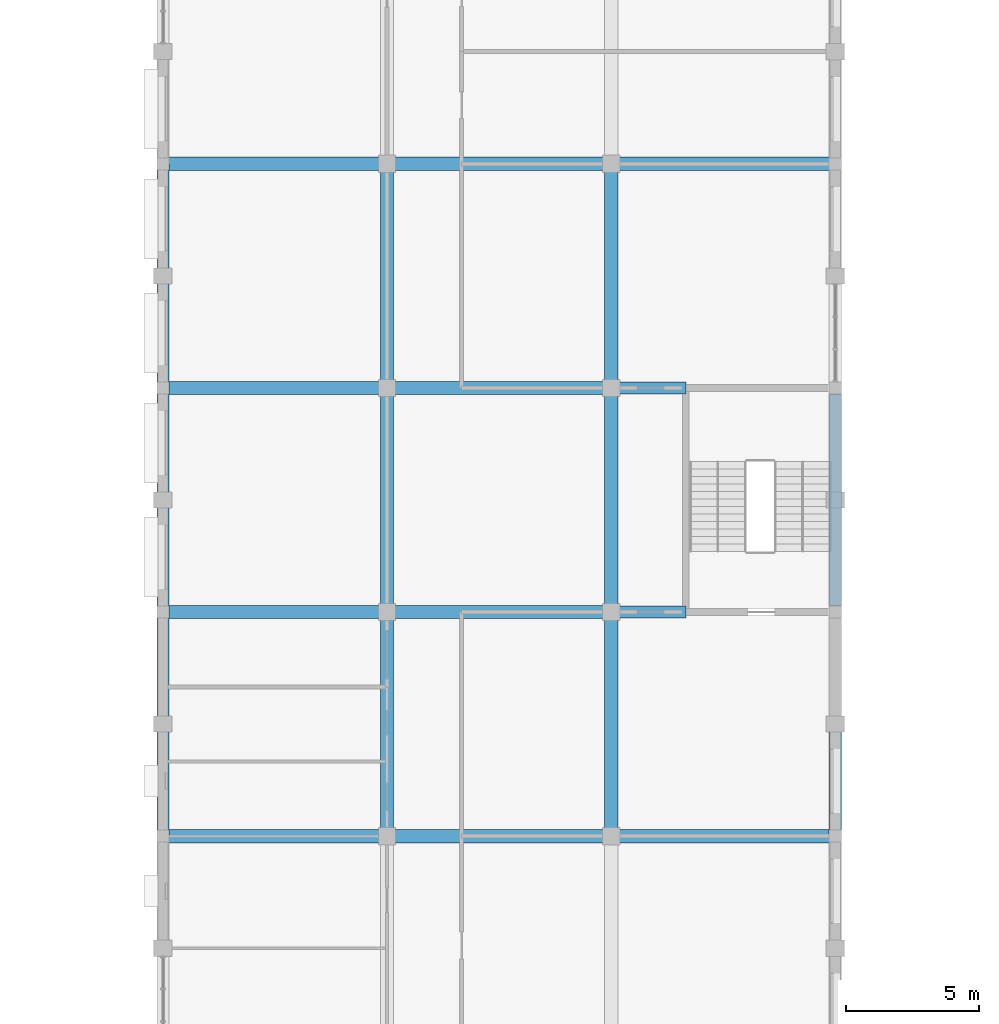
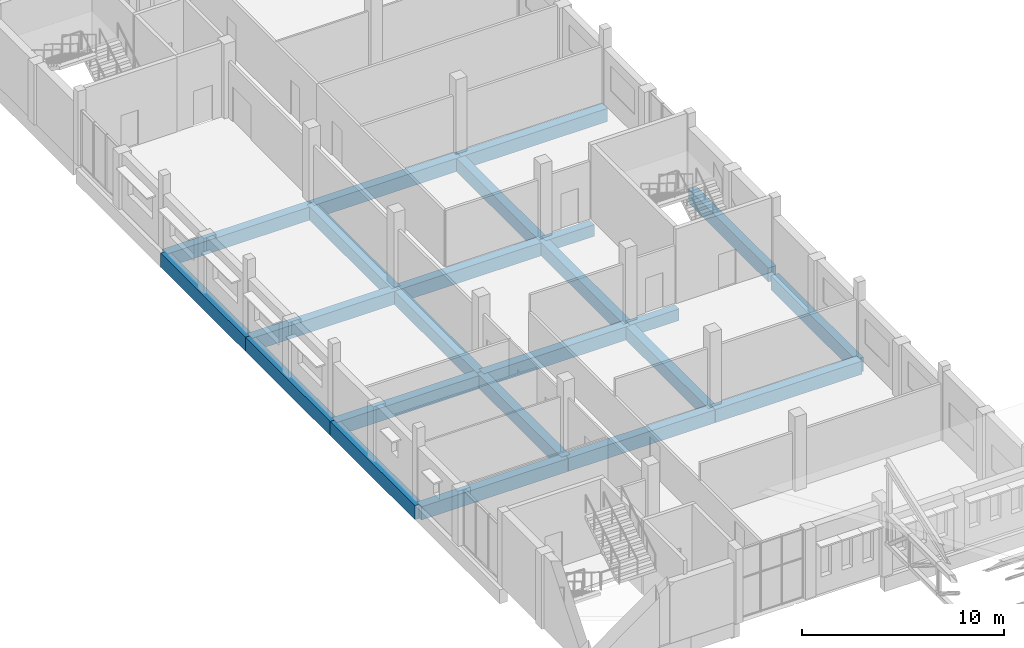
# One storey, part 38 of 101: 23 beams.
"""IFC4 building model written with IfcOpenShell, lengths in metres."""

import ifcopenshell
import ifcopenshell.guid

model = None  # the IFC model being written
_history = None  # IfcOwnerHistory: only IFC2X3 demands one
_inside = {}  # id of a spatial element -> (the spatial element, [elements in it])
_under = {}  # id of a project, library or spatial element -> (it, [spatial elements below it])
_declared = {}  # id of a project -> (the project, [libraries it declares])
_typed = {}  # id of a type object -> (the type object, [elements of that type])
_made_of = {}  # id of a material, layer set ... -> (it, [elements and type objects made of it])


def new_model(schema):
    """Start an empty IFC model of exactly this schema.

    Asked for "IFC4X3", IfcOpenShell would pick the latest addendum, in which some entities
    have other attributes; the version numbers below select the first issue.
    IFC2X3 requires an IfcOwnerHistory on every rooted entity: one is made here for all.
    """
    global model, _history
    if schema == "IFC4X3":
        model = ifcopenshell.file(schema_version=(4, 3, 0, 0))
    else:
        model = ifcopenshell.file(schema=schema)
    _inside.clear()
    _under.clear()
    _declared.clear()
    _typed.clear()
    _made_of.clear()
    _history = None
    if model.schema == "IFC2X3":
        org = make("IfcOrganization", Name="unknown")
        user = make(
            "IfcPersonAndOrganization",
            ThePerson=make("IfcPerson", FamilyName="unknown"),
            TheOrganization=org,
        )
        app = make(
            "IfcApplication",
            ApplicationDeveloper=org,
            Version="unknown",
            ApplicationFullName="unknown",
            ApplicationIdentifier="unknown",
        )
        _history = make(
            "IfcOwnerHistory",
            OwningUser=user,
            OwningApplication=app,
            ChangeAction="ADDED",
            CreationDate=0,
        )
    return model


def make(cls, **values):
    """One entity of the class cls with the attributes given. An attribute that is None is left unset."""
    return model.create_entity(
        cls, **{name: value for name, value in values.items() if value is not None}
    )


def rooted(cls, **values):
    """An entity with a GlobalId (a new one), such as an element, a storey or a relation."""
    return make(cls, GlobalId=ifcopenshell.guid.new(), OwnerHistory=_history, **values)


def si_unit(unit_type, name, prefix=None):
    """IfcSIUnit, for example si_unit("LENGTHUNIT", "METRE", prefix="MILLI")."""
    return make("IfcSIUnit", UnitType=unit_type, Prefix=prefix, Name=name)


def assignment(units):
    """IfcUnitAssignment: the units of a project."""
    return None if units is None else make("IfcUnitAssignment", Units=units)


def point(xyz):
    """IfcCartesianPoint."""
    return None if xyz is None else make("IfcCartesianPoint", Coordinates=xyz)


def direction(xyz):
    """IfcDirection."""
    return None if xyz is None else make("IfcDirection", DirectionRatios=xyz)


def frame(location, z_axis=None, x_axis=None):
    """IfcAxis2Placement3D, a coordinate frame: its origin and axes. An axis left out is left unset."""
    return make(
        "IfcAxis2Placement3D",
        Location=point(location),
        Axis=direction(z_axis),
        RefDirection=direction(x_axis),
    )


def frame_2d(location, x_axis=None):
    """IfcAxis2Placement2D, a coordinate frame in the plane: its origin and x axis."""
    return make(
        "IfcAxis2Placement2D", Location=point(location), RefDirection=direction(x_axis)
    )


def origin():
    """The frame at (0, 0, 0) with its axes left unset."""
    return frame((0.0, 0.0, 0.0))


def origin_2d():
    """The frame at (0, 0) in the plane with its x axis left unset."""
    return frame_2d((0.0, 0.0))


def place(relative_to, where):
    """IfcLocalPlacement: puts the frame where relative to a parent placement (None: the world)."""
    return make(
        "IfcLocalPlacement", PlacementRelTo=relative_to, RelativePlacement=where
    )


def context(
    kind, dimensions, precision=None, world=None, true_north=None, identifier=None
):
    """IfcGeometricRepresentationContext, for example the 3D "Model" context."""
    return make(
        "IfcGeometricRepresentationContext",
        ContextIdentifier=identifier,
        ContextType=kind,
        CoordinateSpaceDimension=dimensions,
        Precision=precision,
        WorldCoordinateSystem=world,
        TrueNorth=true_north,
    )


def subcontext(parent, identifier, kind, view, scale=None):
    """IfcGeometricRepresentationSubContext, for example "Body" below "Model"."""
    return make(
        "IfcGeometricRepresentationSubContext",
        ContextIdentifier=identifier,
        ContextType=kind,
        ParentContext=parent,
        TargetScale=scale,
        TargetView=view,
    )


def project(units=None, contexts=None):
    """IfcProject with its units and contexts."""
    return rooted(
        "IfcProject",
        Name="project",
        RepresentationContexts=contexts,
        UnitsInContext=assignment(units),
    )


def spatial(cls, under=None, at=None, **own):
    """A site, building, storey or space (cls), placed at a placement, below another one or the project."""
    s = rooted(cls, ObjectPlacement=at, **own)
    if under is not None:
        _under.setdefault(under.id(), (under, []))[1].append(s)
    return s


def profile(cls, at=None, kind="AREA", **sizes):
    """A parametric profile (cls). Its sizes go by their IFC names, for example OverallWidth=200.0."""
    return make(cls, ProfileType=kind, Position=at, **sizes)


def rectangle(**sizes):
    """IfcRectangleProfileDef."""
    return profile("IfcRectangleProfileDef", **sizes)


def extrude(swept, where, along, depth):
    """IfcExtrudedAreaSolid: the profile swept, set in the frame where, extruded along a direction by depth."""
    return make(
        "IfcExtrudedAreaSolid",
        SweptArea=swept,
        Position=where,
        ExtrudedDirection=direction(along),
        Depth=depth,
    )


def shape(context_of_items, identifier, shape_type, items):
    """IfcShapeRepresentation: the items that make up one representation, for example the "Body"."""
    return make(
        "IfcShapeRepresentation",
        ContextOfItems=context_of_items,
        RepresentationIdentifier=identifier,
        RepresentationType=shape_type,
        Items=items,
    )


def material(Name=None, Category=None):
    """IfcMaterial."""
    return make("IfcMaterial", Name=Name, Category=Category)


def material_profile(
    of_material, cross_section, Name=None, Category=None, Priority=None
):
    """IfcMaterialProfile: a cross section and its material."""
    return make(
        "IfcMaterialProfile",
        Name=Name,
        Material=of_material,
        Profile=cross_section,
        Priority=Priority,
        Category=Category,
    )


def profile_set(profiles, Name=None, composite=None):
    """IfcMaterialProfileSet."""
    return make(
        "IfcMaterialProfileSet",
        Name=Name,
        MaterialProfiles=profiles,
        CompositeProfile=composite,
    )


def made_of(thing, what):
    """Note that an element or type object is made of a material, layer set ...; save() writes the relation."""
    if what is not None:
        _made_of.setdefault(what.id(), (what, []))[1].append(thing)
    return thing


def type_object(cls, material=None, **own):
    """A type object (cls), such as IfcWallType, which elements share."""
    return made_of(rooted(cls, **own), material)


def element(
    cls,
    number,
    at=None,
    inside=None,
    cuts=None,
    type_object=None,
    material=None,
    context=None,
    identifier="Body",
    shape_type=None,
    held_by="IfcProductDefinitionShape",
    body=None,
    shapes=None,
    **own,
):
    """One element of the class cls, such as IfcWall. Its Tag is "e" and its number.

    at: its placement. inside: the storey or other place that contains it. cuts: it is an
    opening in that element (IfcRelVoidsElement). A single representation is given by context,
    identifier, shape_type and body (its items); several are given by shapes. held_by: the class
    of the entity that holds the representations. save() writes the other relations.
    """
    e = rooted(cls, Tag="e%d" % number, ObjectPlacement=at, **own)
    if body is not None:
        shapes = [shape(context, identifier, shape_type, body)]
    if shapes is not None:
        e.Representation = make(held_by, Representations=shapes)
    if inside is not None:
        _inside.setdefault(inside.id(), (inside, []))[1].append(e)
    if cuts is not None:
        rooted(
            "IfcRelVoidsElement", RelatingBuildingElement=cuts, RelatedOpeningElement=e
        )
    if type_object is not None:
        _typed.setdefault(type_object.id(), (type_object, []))[1].append(e)
    return made_of(e, material)


def aggregate(whole, parts):
    """IfcRelAggregates: a whole, such as a stair, and the parts it consists of."""
    return rooted("IfcRelAggregates", RelatingObject=whole, RelatedObjects=parts)


def save(model, path):
    """Write the relations noted so far, then the file.

    IfcRelAggregates (storeys below a building ...), IfcRelContainedInSpatialStructure (elements
    in a storey), IfcRelDefinesByType, IfcRelAssociatesMaterial and IfcRelDeclares: one each for
    every whole, place, type object, material and project.
    """
    for whole, parts in _under.values():
        aggregate(whole, parts)
    for where, things in _inside.values():
        rooted(
            "IfcRelContainedInSpatialStructure",
            RelatedElements=things,
            RelatingStructure=where,
        )
    for kind, things in _typed.values():
        rooted("IfcRelDefinesByType", RelatedObjects=things, RelatingType=kind)
    for what, things in _made_of.values():
        rooted("IfcRelAssociatesMaterial", RelatedObjects=things, RelatingMaterial=what)
    for by, libraries in _declared.values():
        rooted("IfcRelDeclares", RelatingContext=by, RelatedDefinitions=libraries)
    model.write(path)


model = new_model("IFC4")

# Units and contexts
model_context = context("Model", 3, precision=1e-05, world=origin(), true_north=direction((0.0, 1.0)))
body_context = subcontext(model_context, "Body", "Model", "MODEL_VIEW")
ifc_project = project(units=[si_unit("LENGTHUNIT", "METRE"), si_unit("AREAUNIT", "SQUARE_METRE"), si_unit("VOLUMEUNIT", "CUBIC_METRE"), si_unit("PLANEANGLEUNIT", "RADIAN"), si_unit("MASSUNIT", "GRAM", prefix="KILO")], contexts=[model_context])

# Site, building, storey
site_placement = place(None, origin())
site = spatial("IfcSite", under=ifc_project, at=site_placement, CompositionType="ELEMENT")
building_placement = place(site_placement, origin())
building = spatial("IfcBuilding", under=site, at=building_placement, Name="Fescue Hill Polytechnic", CompositionType="ELEMENT")
storey_placement = place(building_placement, frame((0.0, 0.0, 9.0)))
storey = spatial("IfcBuildingStorey", under=building, at=storey_placement, Name="L02", CompositionType="ELEMENT", Elevation=9.0)

# Beams
ifc_material = material(Name="Concrete 35 MPa", Category="concrete")
ifc_material_profile_1 = material_profile(ifc_material, rectangle(XDim=0.449951171875, YDim=0.699951171875, at=origin_2d()), Name="RC 450x700")
ifc_profile_set_1 = profile_set([ifc_material_profile_1], Name="Concrete 35 MPa")
beam_type_1 = type_object("IfcBeamType", Name="Beam RC 450x700", PredefinedType="BEAM", material=ifc_profile_set_1)
for number, where, z_axis, x_axis, name in (
    (1, (16.81005859375, 75.60009765625, -0.64990234375), (1.0, 0.0, 0.0), (0.0, 1.0, 0.0), "BM-L02-0047"),
    (2, (16.81005859375, 84.0, -0.64990234375), (1.0, 0.0, 0.0), (0.0, 1.0, 0.0), "BM-L02-0048"),
):
    element("IfcBeam", number, at=place(storey_placement, frame(where, z_axis=z_axis, x_axis=x_axis)), inside=storey, type_object=beam_type_1, Name=name, PredefinedType="BEAM", context=body_context, shape_type="SweptSolid", body=[
        extrude(rectangle(XDim=0.449951171875, YDim=0.699951171875, at=origin_2d()), origin(), (0.0, 0.0, 1.0), 2.7900390625),
    ])
ifc_material_profile_2 = material_profile(ifc_material, rectangle(XDim=0.449951171875, YDim=0.85009765625, at=origin_2d()), Name="RC 450x850")
ifc_profile_set_2 = profile_set([ifc_material_profile_2], Name="Concrete 35 MPa")
beam_type_2 = type_object("IfcBeamType", Name="Beam RC 450x850", PredefinedType="BEAM", material=ifc_profile_set_2)
beam_1_placement = place(storey_placement, frame((0.0, 67.199951171875, -0.72509765625), z_axis=(0.0, 1.0, 0.0), x_axis=(-1.0, 0.0, 0.0)))
element("IfcBeam", 3, at=beam_1_placement, inside=storey, type_object=beam_type_2, Name="BM-L02-0003", PredefinedType="BEAM", context=body_context, shape_type="SweptSolid", body=[
    extrude(rectangle(XDim=0.449951171875, YDim=0.85009765625, at=origin_2d()), origin(), (0.0, 0.0, 1.0), 8.400146484375),
])
for number, where, z_axis, x_axis, name in (
    (4, (0.0, 75.60009765625, -0.72509765625), (0.0, 1.0, 0.0), (-1.0, 0.0, 0.0), "BM-L02-0004"),
    (5, (0.0, 84.0, -0.72509765625), (0.0, 1.0, 0.0), (-1.0, 0.0, 0.0), "BM-L02-0005"),
):
    element("IfcBeam", number, at=place(storey_placement, frame(where, z_axis=z_axis, x_axis=x_axis)), inside=storey, type_object=beam_type_2, Name=name, PredefinedType="BEAM", context=body_context, shape_type="SweptSolid", body=[
        extrude(rectangle(XDim=0.449951171875, YDim=0.85009765625, at=origin_2d()), origin(), (0.0, 0.0, 1.0), 8.39990234375),
    ])
beam_2_placement = place(storey_placement, frame((25.199951171875, 67.199951171875, -0.72509765625), z_axis=(0.0, 1.0, 0.0), x_axis=(-1.0, 0.0, 0.0)))
element("IfcBeam", 6, at=beam_2_placement, inside=storey, type_object=beam_type_2, Name="BM-L02-0054", PredefinedType="BEAM", context=body_context, shape_type="SweptSolid", body=[
    extrude(rectangle(XDim=0.449951171875, YDim=0.85009765625, at=origin_2d()), origin(), (0.0, 0.0, 1.0), 8.400146484375),
])
beam_3_placement = place(storey_placement, frame((25.199951171875, 75.85009765625, -0.425048828125), z_axis=(0.0, 1.0, 0.0), x_axis=(-1.0, 0.0, 0.0)))
element("IfcBeam", 7, at=beam_3_placement, inside=storey, type_object=beam_type_2, Name="BM-L02-0148", PredefinedType="BEAM", context=body_context, shape_type="SweptSolid", body=[
    extrude(rectangle(XDim=0.449951171875, YDim=0.85009765625, at=origin_2d()), origin(), (0.0, 0.0, 1.0), 7.89990234375),
])
ifc_material_profile_3 = material_profile(ifc_material, rectangle(XDim=0.5, YDim=0.800048828125, at=origin_2d()), Name="RC 500x800")
ifc_profile_set_3 = profile_set([ifc_material_profile_3], Name="Concrete 35 MPa")
beam_type_3 = type_object("IfcBeamType", Name="Beam RC 500x800", PredefinedType="BEAM", material=ifc_profile_set_3)
for number, where, z_axis, x_axis, name in (
    (8, (0.010009765625, 67.199951171875, -0.699951171875), (1.0, 0.0, 0.0), (0.0, 1.0, 0.0), "BM-L02-0008"),
    (9, (0.010009765625, 75.60009765625, -0.699951171875), (1.0, 0.0, 0.0), (0.0, 1.0, 0.0), "BM-L02-0009"),
    (10, (0.010009765625, 84.0, -0.699951171875), (1.0, 0.0, 0.0), (0.0, 1.0, 0.0), "BM-L02-0010"),
    (11, (0.010009765625, 92.39990234375, -0.699951171875), (1.0, 0.0, 0.0), (0.0, 1.0, 0.0), "BM-L02-0011"),
):
    element("IfcBeam", number, at=place(storey_placement, frame(where, z_axis=z_axis, x_axis=x_axis)), inside=storey, type_object=beam_type_3, Name=name, PredefinedType="BEAM", context=body_context, shape_type="SweptSolid", body=[
        extrude(rectangle(XDim=0.5, YDim=0.800048828125, at=origin_2d()), origin(), (0.0, 0.0, 1.0), 8.3798828125),
    ])
beam_4_placement = place(storey_placement, frame((8.39990234375, 67.199951171875, -0.699951171875), z_axis=(0.0, 1.0, 0.0), x_axis=(-1.0, 0.0, 0.0)))
element("IfcBeam", 12, at=beam_4_placement, inside=storey, type_object=beam_type_3, Name="BM-L02-0019", PredefinedType="BEAM", context=body_context, shape_type="SweptSolid", body=[
    extrude(rectangle(XDim=0.5, YDim=0.800048828125, at=origin_2d()), origin(), (0.0, 0.0, 1.0), 8.400146484375),
])
for number, where, z_axis, x_axis, name in (
    (13, (8.39990234375, 75.60009765625, -0.699951171875), (0.0, 1.0, 0.0), (-1.0, 0.0, 0.0), "BM-L02-0020"),
    (14, (8.39990234375, 84.0, -0.699951171875), (0.0, 1.0, 0.0), (-1.0, 0.0, 0.0), "BM-L02-0021"),
):
    element("IfcBeam", number, at=place(storey_placement, frame(where, z_axis=z_axis, x_axis=x_axis)), inside=storey, type_object=beam_type_3, Name=name, PredefinedType="BEAM", context=body_context, shape_type="SweptSolid", body=[
        extrude(rectangle(XDim=0.5, YDim=0.800048828125, at=origin_2d()), origin(), (0.0, 0.0, 1.0), 8.39990234375),
    ])
for number, where, z_axis, x_axis, name in (
    (15, (8.409912109375, 67.199951171875, -0.699951171875), (1.0, 0.0, 0.0), (0.0, 1.0, 0.0), "BM-L02-0027"),
    (16, (8.409912109375, 75.60009765625, -0.699951171875), (1.0, 0.0, 0.0), (0.0, 1.0, 0.0), "BM-L02-0028"),
    (17, (8.409912109375, 84.0, -0.699951171875), (1.0, 0.0, 0.0), (0.0, 1.0, 0.0), "BM-L02-0029"),
    (18, (8.409912109375, 92.39990234375, -0.699951171875), (1.0, 0.0, 0.0), (0.0, 1.0, 0.0), "BM-L02-0030"),
):
    element("IfcBeam", number, at=place(storey_placement, frame(where, z_axis=z_axis, x_axis=x_axis)), inside=storey, type_object=beam_type_3, Name=name, PredefinedType="BEAM", context=body_context, shape_type="SweptSolid", body=[
        extrude(rectangle(XDim=0.5, YDim=0.800048828125, at=origin_2d()), origin(), (0.0, 0.0, 1.0), 8.380126953125),
    ])
beam_5_placement = place(storey_placement, frame((16.800048828125, 67.199951171875, -0.699951171875), z_axis=(0.0, 1.0, 0.0), x_axis=(-1.0, 0.0, 0.0)))
element("IfcBeam", 19, at=beam_5_placement, inside=storey, type_object=beam_type_3, Name="BM-L02-0036", PredefinedType="BEAM", context=body_context, shape_type="SweptSolid", body=[
    extrude(rectangle(XDim=0.5, YDim=0.800048828125, at=origin_2d()), origin(), (0.0, 0.0, 1.0), 8.400146484375),
])
for number, where, z_axis, x_axis, name in (
    (20, (16.800048828125, 75.60009765625, -0.699951171875), (0.0, 1.0, 0.0), (-1.0, 0.0, 0.0), "BM-L02-0037"),
    (21, (16.800048828125, 84.0, -0.699951171875), (0.0, 1.0, 0.0), (-1.0, 0.0, 0.0), "BM-L02-0038"),
):
    element("IfcBeam", number, at=place(storey_placement, frame(where, z_axis=z_axis, x_axis=x_axis)), inside=storey, type_object=beam_type_3, Name=name, PredefinedType="BEAM", context=body_context, shape_type="SweptSolid", body=[
        extrude(rectangle(XDim=0.5, YDim=0.800048828125, at=origin_2d()), origin(), (0.0, 0.0, 1.0), 8.39990234375),
    ])
for number, where, z_axis, x_axis, name in (
    (22, (16.81005859375, 67.199951171875, -0.699951171875), (1.0, 0.0, 0.0), (0.0, 1.0, 0.0), "BM-L02-0046"),
    (23, (16.81005859375, 92.39990234375, -0.699951171875), (1.0, 0.0, 0.0), (0.0, 1.0, 0.0), "BM-L02-0049"),
):
    element("IfcBeam", number, at=place(storey_placement, frame(where, z_axis=z_axis, x_axis=x_axis)), inside=storey, type_object=beam_type_3, Name=name, PredefinedType="BEAM", context=body_context, shape_type="SweptSolid", body=[
        extrude(rectangle(XDim=0.5, YDim=0.800048828125, at=origin_2d()), origin(), (0.0, 0.0, 1.0), 8.3798828125),
    ])

save(model, "model.ifc")
